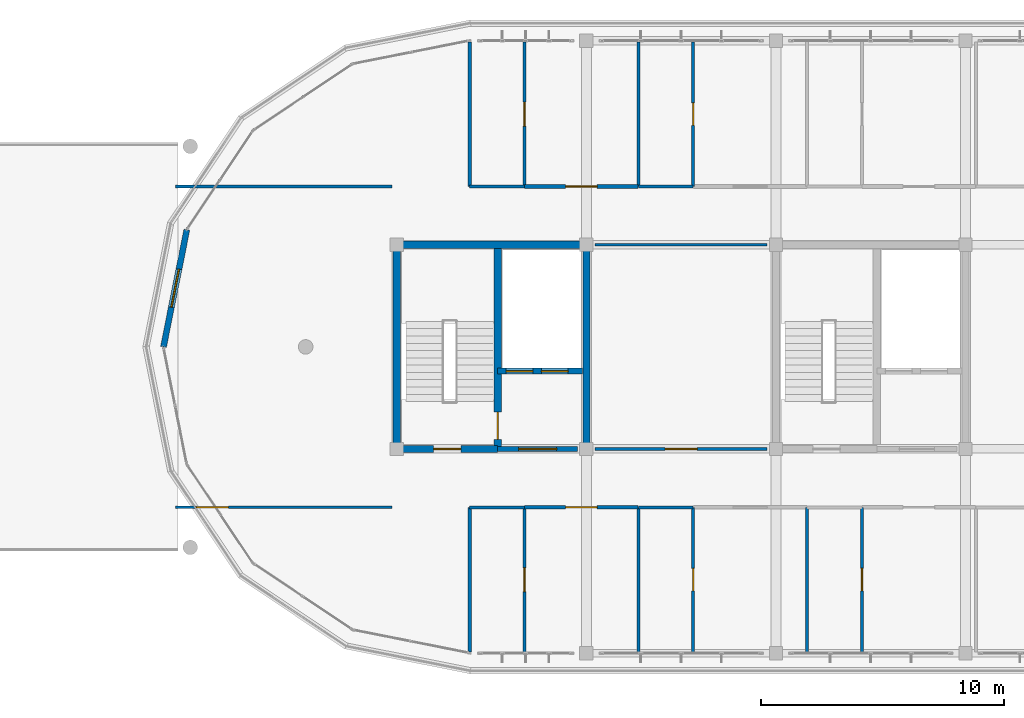
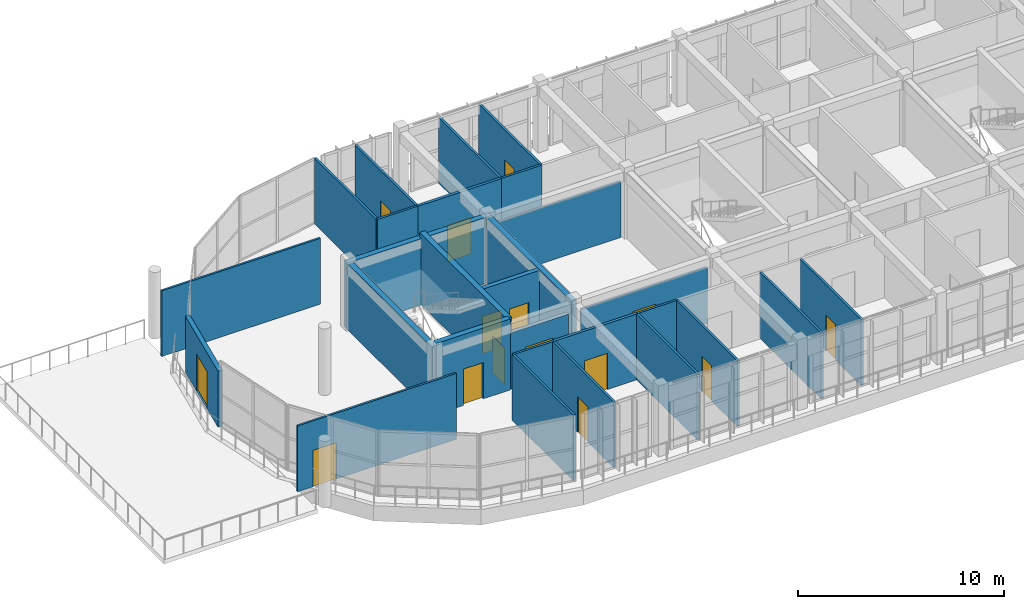
# One storey, part 38 of 44: 28 walls, 15 doors, 15 openings.
"""IFC4 building model written with IfcOpenShell, lengths in metres."""

from ifc_helpers import new_model, si_unit, direction, frame, frame_2d, origin, place, context, subcontext, project, spatial, rectangle, extrude, material, layer, layer_set, type_object, element, fill, save


model = new_model("IFC4")

# Units and contexts
model_context = context("Model", 3, precision=1e-05, world=origin(), true_north=direction((0.0, 1.0)))
body_context = subcontext(model_context, "Body", "Model", "MODEL_VIEW")
ifc_project = project(units=[si_unit("LENGTHUNIT", "METRE"), si_unit("AREAUNIT", "SQUARE_METRE"), si_unit("VOLUMEUNIT", "CUBIC_METRE"), si_unit("PLANEANGLEUNIT", "RADIAN"), si_unit("MASSUNIT", "GRAM", prefix="KILO")], contexts=[model_context])

# Site, building, storey
site_placement = place(None, origin())
site = spatial("IfcSite", under=ifc_project, at=site_placement, CompositionType="ELEMENT")
building_placement = place(site_placement, origin())
building = spatial("IfcBuilding", under=site, at=building_placement, Name="Zizhar Promenade General Hospital", CompositionType="ELEMENT")
storey_placement = place(building_placement, frame((0.0, 0.0, 34.800048828125)))
storey = spatial("IfcBuildingStorey", under=building, at=storey_placement, Name="L08", CompositionType="ELEMENT", Elevation=34.800048828125)

# Wall, opening, door
ifc_material_1 = material(Name="Precast concrete C40/50", Category="concrete")
ifc_layer_1 = layer(ifc_material_1, 0.2451171875)
ifc_layer_set_1 = layer_set([ifc_layer_1], Name="Precast concrete C40/50")
wall_type_1 = type_object("IfcWallType", Name="EW-PC-245", PredefinedType="STANDARD", material=ifc_layer_set_1)
wall_1_placement = place(storey_placement, frame((37.199951171875, 12.60009765625, 0.0), z_axis=(0.0, 0.0, 1.0), x_axis=(0.195113286981, 0.980780712108, 0.0)))
wall_1 = element("IfcWall", 1, at=wall_1_placement, inside=storey, type_object=wall_type_1, Name="Ward West Terrace Portal Wall L08", PredefinedType="STANDARD", context=body_context, shape_type="SweptSolid", body=[
    extrude(rectangle(XDim=4.916259765625, YDim=0.2451171875, at=frame_2d((2.4580078125, 0.0))), origin(), (0.0, 0.0, 1.0), 3.320068359375),
])
opening_1_placement = place(wall_1_placement, frame((1.658203125, 0.0, 0.0)))
opening_1 = element("IfcOpeningElement", 2, at=opening_1_placement, cuts=wall_1, Name="Opening ED-05", PredefinedType="OPENING", context=body_context, shape_type="SweptSolid", body=[
    extrude(rectangle(XDim=1.60009765625, YDim=2.199951171875, at=frame_2d((0.800048828125, 1.10009765625))), frame((0.0, 0.132568359375, 0.0), z_axis=(0.0, -1.0, 0.0), x_axis=(1.0, 0.0, 0.0)), (0.0, 0.0, 1.0), 0.26513671875),
])
ifc_material_2 = material(Name="Anodised aluminium 6063-T6 and laminated safety glass", Category="aluminium")
door_type_1 = type_object("IfcDoorType", Name="DR-EXT-TERR-160x220", OperationType="DOUBLE_DOOR_SINGLE_SWING", PredefinedType="DOOR", material=ifc_material_2)
door_1_placement = place(opening_1_placement, origin())
door_1 = element("IfcDoor", 3, at=door_1_placement, inside=storey, type_object=door_type_1, Name="Level L08 West Recovery Terrace Door", OperationType="DOUBLE_DOOR_SINGLE_SWING", OverallHeight=2.199951171875, OverallWidth=1.60009765625, PredefinedType="DOOR", context=body_context, shape_type="SweptSolid", body=[
    extrude(rectangle(XDim=1.60009765625, YDim=2.199951171875, at=frame_2d((0.800048828125, 1.10009765625))), frame((0.0, 0.02490234375, 0.0), z_axis=(0.0, -1.0, 0.0), x_axis=(1.0, 0.0, 0.0)), (0.0, 0.0, 1.0), 0.050048828125),
])
fill(opening_1, door_1)

ifc_material_3 = material(Name="Concrete C35/45", Category="concrete")
ifc_layer_2 = layer(ifc_material_3, 0.215087890625)
ifc_layer_set_2 = layer_set([ifc_layer_2], Name="Concrete C35/45")
wall_type_2 = type_object("IfcWallType", Name="IW-LOBBY-215", PredefinedType="STANDARD", material=ifc_layer_set_2)
wall_2_placement = place(storey_placement, frame((50.949951171875, 8.39990234375, 0.0), z_axis=(0.0, 0.0, 1.0), x_axis=(1.0, 0.0, 0.0)))
wall_2 = element("IfcWall", 4, at=wall_2_placement, inside=storey, type_object=wall_type_2, Name="Core C2 Lift Lobby South Fire Wall (L08)", PredefinedType="STANDARD", context=body_context, shape_type="SweptSolid", body=[
    extrude(rectangle(XDim=3.2900390625, YDim=0.215087890625, at=frame_2d((1.64501953125, 0.0))), origin(), (0.0, 0.0, 1.0), 3.320068359375),
])
opening_2_placement = place(wall_2_placement, frame((0.864990234375, 0.0, 0.0)))
opening_2 = element("IfcOpeningElement", 5, at=opening_2_placement, cuts=wall_2, Name="Opening D-22", PredefinedType="OPENING", context=body_context, shape_type="SweptSolid", body=[
    extrude(rectangle(XDim=1.56005859375, YDim=2.199951171875, at=frame_2d((0.780029296875, 1.10009765625))), frame((0.0, 0.11767578125, 0.0), z_axis=(0.0, -1.0, 0.0), x_axis=(1.0, 0.0, 0.0)), (0.0, 0.0, 1.0), 0.235107421875),
])
ifc_material_4 = material(Name="Steel S355 firefighting lobby pair", Category="steel")
door_type_2 = type_object("IfcDoorType", Name="DR-LOBBY-FF-156x220", OperationType="DOUBLE_DOOR_SINGLE_SWING", PredefinedType="DOOR", material=ifc_material_4)
door_2_placement = place(opening_2_placement, origin())
door_2 = element("IfcDoor", 6, at=door_2_placement, inside=storey, type_object=door_type_2, Name="Core C2 Firefighting Lift Lobby Door (L08)", OperationType="DOUBLE_DOOR_SINGLE_SWING", OverallHeight=2.199951171875, OverallWidth=1.56005859375, PredefinedType="DOOR", context=body_context, shape_type="SweptSolid", body=[
    extrude(rectangle(XDim=1.56005859375, YDim=2.199951171875, at=frame_2d((0.780029296875, 1.10009765625))), frame((0.0, 0.02490234375, 0.0), z_axis=(0.0, -1.0, 0.0), x_axis=(1.0, 0.0, 0.0)), (0.0, 0.0, 1.0), 0.050048828125),
])
fill(opening_2, door_2)

# Wall, openings, doors
ifc_material_5 = material(Name="Concrete C35/45", Category="concrete")
ifc_layer_3 = layer(ifc_material_5, 0.25)
ifc_layer_set_3 = layer_set([ifc_layer_3], Name="Concrete C35/45")
wall_type_3 = type_object("IfcWallType", Name="IW-SHAFT-250", PredefinedType="STANDARD", material=ifc_layer_set_3)
wall_3_placement = place(storey_placement, frame((50.949951171875, 11.60009765625, 0.0), z_axis=(0.0, 0.0, 1.0), x_axis=(1.0, 0.0, 0.0)))
wall_3 = element("IfcWall", 7, at=wall_3_placement, inside=storey, type_object=wall_type_3, Name="Core C2 Lift Shaft Landing Wall (L08)", PredefinedType="STANDARD", context=body_context, shape_type="SweptSolid", body=[
    extrude(rectangle(XDim=3.5, YDim=0.25, at=frame_2d((1.75, 0.0))), origin(), (0.0, 0.0, 1.0), 3.89990234375),
])
opening_3_placement = place(wall_3_placement, frame((0.35009765625, 0.0, 0.0)))
opening_3 = element("IfcOpeningElement", 8, at=opening_3_placement, cuts=wall_3, Name="Opening LD-11", PredefinedType="OPENING", context=body_context, shape_type="SweptSolid", body=[
    extrude(rectangle(XDim=1.10009765625, YDim=2.199951171875, at=frame_2d((0.550048828125, 1.10009765625))), frame((0.0, 0.135009765625, 0.0), z_axis=(0.0, -1.0, 0.0), x_axis=(1.0, 0.0, 0.0)), (0.0, 0.0, 1.0), 0.27001953125),
])
opening_4_placement = place(wall_3_placement, frame((1.800048828125, 0.0, 0.0)))
opening_4 = element("IfcOpeningElement", 9, at=opening_4_placement, cuts=wall_3, Name="Opening LD-11", PredefinedType="OPENING", context=body_context, shape_type="SweptSolid", body=[
    extrude(rectangle(XDim=1.10009765625, YDim=2.199951171875, at=frame_2d((0.550048828125, 1.10009765625))), frame((0.0, 0.135009765625, 0.0), z_axis=(0.0, -1.0, 0.0), x_axis=(1.0, 0.0, 0.0)), (0.0, 0.0, 1.0), 0.27001953125),
])
ifc_material_6 = material(Name="Stainless Steel S355 passenger lift landing door", Category="steel")
door_type_3 = type_object("IfcDoorType", Name="DR-LIFT-LD11", OperationType="SLIDING_TO_LEFT", PredefinedType="DOOR", material=ifc_material_6)
door_3_placement = place(opening_3_placement, origin())
door_3 = element("IfcDoor", 10, at=door_3_placement, inside=storey, type_object=door_type_3, Name="Lift LF-01 Sliding Landing Door (L08)", OperationType="SLIDING_TO_LEFT", OverallHeight=2.199951171875, OverallWidth=1.10009765625, PredefinedType="DOOR", context=body_context, shape_type="SweptSolid", body=[
    extrude(rectangle(XDim=1.10009765625, YDim=2.199951171875, at=frame_2d((0.550048828125, 1.10009765625))), frame((0.0, 0.02490234375, 0.0), z_axis=(0.0, -1.0, 0.0), x_axis=(1.0, 0.0, 0.0)), (0.0, 0.0, 1.0), 0.050048828125),
])
fill(opening_3, door_3)
door_4_placement = place(opening_4_placement, origin())
door_4 = element("IfcDoor", 11, at=door_4_placement, inside=storey, type_object=door_type_3, Name="Lift LB-01 Sliding Landing Door (L08)", OperationType="SLIDING_TO_LEFT", OverallHeight=2.199951171875, OverallWidth=1.10009765625, PredefinedType="DOOR", context=body_context, shape_type="SweptSolid", body=[
    extrude(rectangle(XDim=1.10009765625, YDim=2.199951171875, at=frame_2d((0.550048828125, 1.10009765625))), frame((0.0, 0.02490234375, 0.0), z_axis=(0.0, -1.0, 0.0), x_axis=(1.0, 0.0, 0.0)), (0.0, 0.0, 1.0), 0.050048828125),
])
fill(opening_4, door_4)

# Wall, opening, door
ifc_material_7 = material(Name="Clean utility gypsum partition")
ifc_layer_4 = layer(ifc_material_7, 0.114990234375)
ifc_layer_set_4 = layer_set([ifc_layer_4], Name="Clean utility gypsum partition")
wall_type_4 = type_object("IfcWallType", Name="IW-STR-115", PredefinedType="PARTITIONING", material=ifc_layer_set_4)
wall_4_placement = place(storey_placement, frame((37.699951171875, 6.0, 0.0), z_axis=(0.0, 0.0, 1.0), x_axis=(1.0, 0.0, 0.0)))
wall_4 = element("IfcWall", 12, at=wall_4_placement, inside=storey, type_object=wall_type_4, Name="West Patient Recovery Solarium L08 S Partition", PredefinedType="PARTITIONING", context=body_context, shape_type="SweptSolid", body=[
    extrude(rectangle(XDim=8.900146484375, YDim=0.114990234375, at=frame_2d((4.4501953125, 0.0))), origin(), (0.0, 0.0, 1.0), 3.89990234375),
])
opening_5_placement = place(wall_4_placement, frame((0.85009765625, 0.0, 0.0)))
opening_5 = element("IfcOpeningElement", 13, at=opening_5_placement, cuts=wall_4, Name="Opening D-26", PredefinedType="OPENING", context=body_context, shape_type="SweptSolid", body=[
    extrude(rectangle(XDim=1.320068359375, YDim=2.14990234375, at=frame_2d((0.66015625, 1.074951171875))), frame((0.0, 0.0673828125, 0.0), z_axis=(0.0, -1.0, 0.0), x_axis=(1.0, 0.0, 0.0)), (0.0, 0.0, 1.0), 0.135009765625),
])
ifc_material_8 = material(Name="Fire-rated timber store leaf", Category="wood")
door_type_4 = type_object("IfcDoorType", Name="DR-STORE-132x215", OperationType="NOTDEFINED", PredefinedType="DOOR", material=ifc_material_8)
door_5_placement = place(opening_5_placement, origin())
door_5 = element("IfcDoor", 14, at=door_5_placement, inside=storey, type_object=door_type_4, Name="West Patient Recovery Solarium L08 Door", OperationType="SINGLE_SWING_RIGHT", OverallHeight=2.14990234375, OverallWidth=1.320068359375, PredefinedType="DOOR", context=body_context, shape_type="SweptSolid", body=[
    extrude(rectangle(XDim=1.320068359375, YDim=2.14990234375, at=frame_2d((0.66015625, 1.074951171875))), frame((0.0, 0.02490234375, 0.0), z_axis=(0.0, -1.0, 0.0), x_axis=(1.0, 0.0, 0.0)), (0.0, 0.0, 1.0), 0.050048828125),
])
fill(opening_5, door_5)

# Wall
wall_5_placement = place(storey_placement, frame((37.699951171875, 19.199951171875, 0.0), z_axis=(0.0, 0.0, 1.0), x_axis=(1.0, 0.0, 0.0)))
element("IfcWall", 15, at=wall_5_placement, inside=storey, type_object=wall_type_4, Name="West Patient Recovery Solarium L08 N Partition", PredefinedType="PARTITIONING", context=body_context, shape_type="SweptSolid", body=[
    extrude(rectangle(XDim=8.900146484375, YDim=0.114990234375, at=frame_2d((4.4501953125, 0.0))), origin(), (0.0, 0.0, 1.0), 3.89990234375),
])

# Wall, opening, door
wall_6_placement = place(storey_placement, frame((54.9599609375, 8.39990234375, 0.0), z_axis=(0.0, 0.0, 1.0), x_axis=(1.0, 0.0, 0.0)))
wall_6 = element("IfcWall", 16, at=wall_6_placement, inside=storey, type_object=wall_type_4, Name="Nurse Station and Medication Room L08 S Partition", PredefinedType="PARTITIONING", context=body_context, shape_type="SweptSolid", body=[
    extrude(rectangle(XDim=7.080078125, YDim=0.114990234375, at=frame_2d((3.5400390625, 0.0))), origin(), (0.0, 0.0, 1.0), 3.320068359375),
])
opening_6_placement = place(wall_6_placement, frame((2.8798828125, 0.0, 0.0)))
opening_6 = element("IfcOpeningElement", 17, at=opening_6_placement, cuts=wall_6, Name="Opening D-26", PredefinedType="OPENING", context=body_context, shape_type="SweptSolid", body=[
    extrude(rectangle(XDim=1.320068359375, YDim=2.14990234375, at=frame_2d((0.66015625, 1.074951171875))), frame((0.0, 0.0673828125, 0.0), z_axis=(0.0, -1.0, 0.0), x_axis=(1.0, 0.0, 0.0)), (0.0, 0.0, 1.0), 0.135009765625),
])
door_6_placement = place(opening_6_placement, origin())
door_6 = element("IfcDoor", 18, at=door_6_placement, inside=storey, type_object=door_type_4, Name="Nurse Station and Medication Room L08 Door", OperationType="SINGLE_SWING_RIGHT", OverallHeight=2.14990234375, OverallWidth=1.320068359375, PredefinedType="DOOR", context=body_context, shape_type="SweptSolid", body=[
    extrude(rectangle(XDim=1.320068359375, YDim=2.14990234375, at=frame_2d((0.66015625, 1.074951171875))), frame((0.0, 0.02490234375, 0.0), z_axis=(0.0, -1.0, 0.0), x_axis=(1.0, 0.0, 0.0)), (0.0, 0.0, 1.0), 0.050048828125),
])
fill(opening_6, door_6)

# Wall
wall_7_placement = place(storey_placement, frame((54.9599609375, 16.800048828125, 0.0), z_axis=(0.0, 0.0, 1.0), x_axis=(1.0, 0.0, 0.0)))
element("IfcWall", 19, at=wall_7_placement, inside=storey, type_object=wall_type_4, Name="Nurse Station and Medication Room L08 N Partition", PredefinedType="PARTITIONING", context=body_context, shape_type="SweptSolid", body=[
    extrude(rectangle(XDim=7.080078125, YDim=0.114990234375, at=frame_2d((3.5400390625, 0.0))), origin(), (0.0, 0.0, 1.0), 3.320068359375),
])

# Wall, opening, door
ifc_material_9 = material(Name="Acoustic patient bedroom partition")
ifc_layer_5 = layer(ifc_material_9, 0.155029296875)
ifc_layer_set_5 = layer_set([ifc_layer_5], Name="Acoustic patient bedroom partition")
wall_type_5 = type_object("IfcWallType", Name="IW-WARD-155", PredefinedType="PARTITIONING", material=ifc_layer_set_5)
wall_8_placement = place(storey_placement, frame((52.06005859375, 6.0, 0.0), z_axis=(0.0, 0.0, 1.0), x_axis=(1.0, 0.0, 0.0)))
wall_8 = element("IfcWall", 20, at=wall_8_placement, inside=storey, type_object=wall_type_5, Name="Paediatric Inpatient Ward L08-S01 N Partition", PredefinedType="PARTITIONING", context=body_context, shape_type="SweptSolid", body=[
    extrude(rectangle(XDim=4.6728515625, YDim=0.155029296875, at=frame_2d((2.33642578125, 0.0))), origin(), (0.0, 0.0, 1.0), 3.89990234375),
])
opening_7_placement = place(wall_8_placement, frame((1.6865234375, 0.0, 0.0)))
opening_7 = element("IfcOpeningElement", 21, at=opening_7_placement, cuts=wall_8, Name="Opening D-09", PredefinedType="OPENING", context=body_context, shape_type="SweptSolid", body=[
    extrude(rectangle(XDim=1.300048828125, YDim=2.14990234375, at=frame_2d((0.64990234375, 1.074951171875))), frame((0.0, 0.08740234375, 0.0), z_axis=(0.0, -1.0, 0.0), x_axis=(1.0, 0.0, 0.0)), (0.0, 0.0, 1.0), 0.175048828125),
])
ifc_material_10 = material(Name="Fire-rated timber paediatric bed leaf", Category="wood")
door_type_5 = type_object("IfcDoorType", Name="DR-BED-PAED-130x215", OperationType="NOTDEFINED", PredefinedType="DOOR", material=ifc_material_10)
door_7_placement = place(opening_7_placement, origin())
door_7 = element("IfcDoor", 22, at=door_7_placement, inside=storey, type_object=door_type_5, Name="Paediatric Inpatient Ward L08-S01 Door", OperationType="SINGLE_SWING_RIGHT", OverallHeight=2.14990234375, OverallWidth=1.300048828125, PredefinedType="DOOR", context=body_context, shape_type="SweptSolid", body=[
    extrude(rectangle(XDim=1.300048828125, YDim=2.14990234375, at=frame_2d((0.64990234375, 1.074951171875))), frame((0.0, 0.02490234375, 0.0), z_axis=(0.0, -1.0, 0.0), x_axis=(1.0, 0.0, 0.0)), (0.0, 0.0, 1.0), 0.050048828125),
])
fill(opening_7, door_7)

wall_9_placement = place(storey_placement, frame((52.06005859375, 19.199951171875, 0.0), z_axis=(0.0, 0.0, 1.0), x_axis=(1.0, 0.0, 0.0)))
wall_9 = element("IfcWall", 23, at=wall_9_placement, inside=storey, type_object=wall_type_5, Name="Paediatric Inpatient Ward L08-N01 S Partition", PredefinedType="PARTITIONING", context=body_context, shape_type="SweptSolid", body=[
    extrude(rectangle(XDim=4.6728515625, YDim=0.155029296875, at=frame_2d((2.33642578125, 0.0))), origin(), (0.0, 0.0, 1.0), 3.89990234375),
])
opening_8_placement = place(wall_9_placement, frame((1.6865234375, 0.0, 0.0)))
opening_8 = element("IfcOpeningElement", 24, at=opening_8_placement, cuts=wall_9, Name="Opening D-09", PredefinedType="OPENING", context=body_context, shape_type="SweptSolid", body=[
    extrude(rectangle(XDim=1.300048828125, YDim=2.14990234375, at=frame_2d((0.64990234375, 1.074951171875))), frame((0.0, 0.08740234375, 0.0), z_axis=(0.0, -1.0, 0.0), x_axis=(1.0, 0.0, 0.0)), (0.0, 0.0, 1.0), 0.175048828125),
])
door_8_placement = place(opening_8_placement, origin())
door_8 = element("IfcDoor", 25, at=door_8_placement, inside=storey, type_object=door_type_5, Name="Paediatric Inpatient Ward L08-N01 Door", OperationType="SINGLE_SWING_LEFT", OverallHeight=2.14990234375, OverallWidth=1.300048828125, PredefinedType="DOOR", context=body_context, shape_type="SweptSolid", body=[
    extrude(rectangle(XDim=1.300048828125, YDim=2.14990234375, at=frame_2d((0.64990234375, 1.074951171875))), frame((0.0, 0.02490234375, 0.0), z_axis=(0.0, -1.0, 0.0), x_axis=(1.0, 0.0, 0.0)), (0.0, 0.0, 1.0), 0.050048828125),
])
fill(opening_8, door_8)

# Walls
ifc_material_11 = material(Name="Moisture-resistant en-suite wet partition")
ifc_layer_6 = layer(ifc_material_11, 0.125)
ifc_layer_set_6 = layer_set([ifc_layer_6], Name="Moisture-resistant en-suite wet partition")
wall_type_6 = type_object("IfcWallType", Name="IW-WET-125", PredefinedType="PARTITIONING", material=ifc_layer_set_6)
wall_10_placement = place(storey_placement, frame((49.800048828125, 6.0, 0.0), z_axis=(0.0, 0.0, 1.0), x_axis=(1.0, 0.0, 0.0)))
element("IfcWall", 26, at=wall_10_placement, inside=storey, type_object=wall_type_6, Name="En-Suite Patient Bathroom L08-S01 N Partition", PredefinedType="PARTITIONING", context=body_context, shape_type="SweptSolid", body=[
    extrude(rectangle(XDim=2.25, YDim=0.125, at=frame_2d((1.125, 0.0))), origin(), (0.0, 0.0, 1.0), 3.89990234375),
])
wall_11_placement = place(storey_placement, frame((49.800048828125, 0.044921875, 0.0), z_axis=(0.0, 0.0, 1.0), x_axis=(0.0, 1.0, 0.0)))
element("IfcWall", 27, at=wall_11_placement, inside=storey, type_object=wall_type_6, Name="En-Suite Patient Bathroom L08-S01 W Partition", PredefinedType="PARTITIONING", context=body_context, shape_type="SweptSolid", body=[
    extrude(rectangle(XDim=5.955078125, YDim=0.125, at=frame_2d((2.9775390625, 0.0))), origin(), (0.0, 0.0, 1.0), 3.89990234375),
])

# Wall, opening, door
wall_12_placement = place(storey_placement, frame((52.050048828125, 0.044921875, 0.0), z_axis=(0.0, 0.0, 1.0), x_axis=(0.0, 1.0, 0.0)))
wall_12 = element("IfcWall", 28, at=wall_12_placement, inside=storey, type_object=wall_type_6, Name="En-Suite Patient Bathroom L08-S01 E Partition", PredefinedType="PARTITIONING", context=body_context, shape_type="SweptSolid", body=[
    extrude(rectangle(XDim=5.955078125, YDim=0.125, at=frame_2d((2.9775390625, 0.0))), origin(), (0.0, 0.0, 1.0), 3.89990234375),
])
opening_9_placement = place(wall_12_placement, frame((2.487548828125, 0.0, 0.0)))
opening_9 = element("IfcOpeningElement", 29, at=opening_9_placement, cuts=wall_12, Name="Opening D-17", PredefinedType="OPENING", context=body_context, shape_type="SweptSolid", body=[
    extrude(rectangle(XDim=0.97998046875, YDim=2.10009765625, at=frame_2d((0.489990234375, 1.050048828125))), frame((0.0, 0.072509765625, 0.0), z_axis=(0.0, -1.0, 0.0), x_axis=(1.0, 0.0, 0.0)), (0.0, 0.0, 1.0), 0.14501953125),
])
ifc_material_12 = material(Name="Moisture-resistant timber PMR leaf", Category="wood")
door_type_6 = type_object("IfcDoorType", Name="DR-ENS-PMR-098x210", OperationType="NOTDEFINED", PredefinedType="DOOR", material=ifc_material_12)
door_9_placement = place(opening_9_placement, origin())
door_9 = element("IfcDoor", 30, at=door_9_placement, inside=storey, type_object=door_type_6, Name="En-Suite Patient Bathroom L08-S01 Door", OperationType="SINGLE_SWING_RIGHT", OverallHeight=2.10009765625, OverallWidth=0.97998046875, PredefinedType="DOOR", context=body_context, shape_type="SweptSolid", body=[
    extrude(rectangle(XDim=0.97998046875, YDim=2.10009765625, at=frame_2d((0.489990234375, 1.050048828125))), frame((0.0, 0.02490234375, 0.0), z_axis=(0.0, -1.0, 0.0), x_axis=(1.0, 0.0, 0.0)), (0.0, 0.0, 1.0), 0.050048828125),
])
fill(opening_9, door_9)

# Walls
wall_13_placement = place(storey_placement, frame((49.800048828125, 19.199951171875, 0.0), z_axis=(0.0, 0.0, 1.0), x_axis=(1.0, 0.0, 0.0)))
element("IfcWall", 31, at=wall_13_placement, inside=storey, type_object=wall_type_6, Name="En-Suite Patient Bathroom L08-N01 S Partition", PredefinedType="PARTITIONING", context=body_context, shape_type="SweptSolid", body=[
    extrude(rectangle(XDim=2.25, YDim=0.125, at=frame_2d((1.125, 0.0))), origin(), (0.0, 0.0, 1.0), 3.89990234375),
])
wall_14_placement = place(storey_placement, frame((49.800048828125, 19.199951171875, 0.0), z_axis=(0.0, 0.0, 1.0), x_axis=(0.0, 1.0, 0.0)))
element("IfcWall", 32, at=wall_14_placement, inside=storey, type_object=wall_type_6, Name="En-Suite Patient Bathroom L08-N01 W Partition", PredefinedType="PARTITIONING", context=body_context, shape_type="SweptSolid", body=[
    extrude(rectangle(XDim=5.955078125, YDim=0.125, at=frame_2d((2.9775390625, 0.0))), origin(), (0.0, 0.0, 1.0), 3.89990234375),
])

# Wall, opening, door
wall_15_placement = place(storey_placement, frame((52.050048828125, 19.199951171875, 0.0), z_axis=(0.0, 0.0, 1.0), x_axis=(0.0, 1.0, 0.0)))
wall_15 = element("IfcWall", 33, at=wall_15_placement, inside=storey, type_object=wall_type_6, Name="En-Suite Patient Bathroom L08-N01 E Partition", PredefinedType="PARTITIONING", context=body_context, shape_type="SweptSolid", body=[
    extrude(rectangle(XDim=5.955078125, YDim=0.125, at=frame_2d((2.9775390625, 0.0))), origin(), (0.0, 0.0, 1.0), 3.89990234375),
])
opening_10_placement = place(wall_15_placement, frame((2.487548828125, 0.0, 0.0)))
opening_10 = element("IfcOpeningElement", 34, at=opening_10_placement, cuts=wall_15, Name="Opening D-17", PredefinedType="OPENING", context=body_context, shape_type="SweptSolid", body=[
    extrude(rectangle(XDim=0.97998046875, YDim=2.10009765625, at=frame_2d((0.489990234375, 1.050048828125))), frame((0.0, 0.072509765625, 0.0), z_axis=(0.0, -1.0, 0.0), x_axis=(1.0, 0.0, 0.0)), (0.0, 0.0, 1.0), 0.14501953125),
])
door_10_placement = place(opening_10_placement, origin())
door_10 = element("IfcDoor", 35, at=door_10_placement, inside=storey, type_object=door_type_6, Name="En-Suite Patient Bathroom L08-N01 Door", OperationType="SINGLE_SWING_LEFT", OverallHeight=2.10009765625, OverallWidth=0.97998046875, PredefinedType="DOOR", context=body_context, shape_type="SweptSolid", body=[
    extrude(rectangle(XDim=0.97998046875, YDim=2.10009765625, at=frame_2d((0.489990234375, 1.050048828125))), frame((0.0, 0.02490234375, 0.0), z_axis=(0.0, -1.0, 0.0), x_axis=(1.0, 0.0, 0.0)), (0.0, 0.0, 1.0), 0.050048828125),
])
fill(opening_10, door_10)

# Walls
wall_16_placement = place(storey_placement, frame((56.742919921875, 6.0, 0.0), z_axis=(0.0, 0.0, 1.0), x_axis=(1.0, 0.0, 0.0)))
element("IfcWall", 36, at=wall_16_placement, inside=storey, type_object=wall_type_6, Name="En-Suite Patient Bathroom L08-S02 N Partition", PredefinedType="PARTITIONING", context=body_context, shape_type="SweptSolid", body=[
    extrude(rectangle(XDim=2.25, YDim=0.125, at=frame_2d((1.125, 0.0))), origin(), (0.0, 0.0, 1.0), 3.89990234375),
])
wall_17_placement = place(storey_placement, frame((56.742919921875, 0.044921875, 0.0), z_axis=(0.0, 0.0, 1.0), x_axis=(0.0, 1.0, 0.0)))
element("IfcWall", 37, at=wall_17_placement, inside=storey, type_object=wall_type_6, Name="En-Suite Patient Bathroom L08-S02 W Partition", PredefinedType="PARTITIONING", context=body_context, shape_type="SweptSolid", body=[
    extrude(rectangle(XDim=5.955078125, YDim=0.125, at=frame_2d((2.9775390625, 0.0))), origin(), (0.0, 0.0, 1.0), 3.89990234375),
])

# Wall, opening, door
wall_18_placement = place(storey_placement, frame((58.992919921875, 0.044921875, 0.0), z_axis=(0.0, 0.0, 1.0), x_axis=(0.0, 1.0, 0.0)))
wall_18 = element("IfcWall", 38, at=wall_18_placement, inside=storey, type_object=wall_type_6, Name="En-Suite Patient Bathroom L08-S02 E Partition", PredefinedType="PARTITIONING", context=body_context, shape_type="SweptSolid", body=[
    extrude(rectangle(XDim=5.955078125, YDim=0.125, at=frame_2d((2.9775390625, 0.0))), origin(), (0.0, 0.0, 1.0), 3.89990234375),
])
opening_11_placement = place(wall_18_placement, frame((2.517578125, 0.0, 0.0)))
opening_11 = element("IfcOpeningElement", 39, at=opening_11_placement, cuts=wall_18, Name="Opening D-18", PredefinedType="OPENING", context=body_context, shape_type="SweptSolid", body=[
    extrude(rectangle(XDim=0.919921875, YDim=2.10009765625, at=frame_2d((0.4599609375, 1.050048828125))), frame((0.0, 0.072509765625, 0.0), z_axis=(0.0, -1.0, 0.0), x_axis=(1.0, 0.0, 0.0)), (0.0, 0.0, 1.0), 0.14501953125),
])
ifc_material_13 = material(Name="Moisture-resistant timber en-suite leaf", Category="wood")
door_type_7 = type_object("IfcDoorType", Name="DR-ENS-STD-092x210", OperationType="NOTDEFINED", PredefinedType="DOOR", material=ifc_material_13)
door_11_placement = place(opening_11_placement, origin())
door_11 = element("IfcDoor", 40, at=door_11_placement, inside=storey, type_object=door_type_7, Name="En-Suite Patient Bathroom L08-S02 Door", OperationType="SINGLE_SWING_RIGHT", OverallHeight=2.10009765625, OverallWidth=0.919921875, PredefinedType="DOOR", context=body_context, shape_type="SweptSolid", body=[
    extrude(rectangle(XDim=0.919921875, YDim=2.10009765625, at=frame_2d((0.4599609375, 1.050048828125))), frame((0.0, 0.02490234375, 0.0), z_axis=(0.0, -1.0, 0.0), x_axis=(1.0, 0.0, 0.0)), (0.0, 0.0, 1.0), 0.050048828125),
])
fill(opening_11, door_11)

# Walls
wall_19_placement = place(storey_placement, frame((56.742919921875, 19.199951171875, 0.0), z_axis=(0.0, 0.0, 1.0), x_axis=(1.0, 0.0, 0.0)))
element("IfcWall", 41, at=wall_19_placement, inside=storey, type_object=wall_type_6, Name="En-Suite Patient Bathroom L08-N02 S Partition", PredefinedType="PARTITIONING", context=body_context, shape_type="SweptSolid", body=[
    extrude(rectangle(XDim=2.25, YDim=0.125, at=frame_2d((1.125, 0.0))), origin(), (0.0, 0.0, 1.0), 3.89990234375),
])
wall_20_placement = place(storey_placement, frame((56.742919921875, 19.199951171875, 0.0), z_axis=(0.0, 0.0, 1.0), x_axis=(0.0, 1.0, 0.0)))
element("IfcWall", 42, at=wall_20_placement, inside=storey, type_object=wall_type_6, Name="En-Suite Patient Bathroom L08-N02 W Partition", PredefinedType="PARTITIONING", context=body_context, shape_type="SweptSolid", body=[
    extrude(rectangle(XDim=5.955078125, YDim=0.125, at=frame_2d((2.9775390625, 0.0))), origin(), (0.0, 0.0, 1.0), 3.89990234375),
])

# Wall, opening, door
wall_21_placement = place(storey_placement, frame((58.992919921875, 19.199951171875, 0.0), z_axis=(0.0, 0.0, 1.0), x_axis=(0.0, 1.0, 0.0)))
wall_21 = element("IfcWall", 43, at=wall_21_placement, inside=storey, type_object=wall_type_6, Name="En-Suite Patient Bathroom L08-N02 E Partition", PredefinedType="PARTITIONING", context=body_context, shape_type="SweptSolid", body=[
    extrude(rectangle(XDim=5.955078125, YDim=0.125, at=frame_2d((2.9775390625, 0.0))), origin(), (0.0, 0.0, 1.0), 3.89990234375),
])
opening_12_placement = place(wall_21_placement, frame((2.517578125, 0.0, 0.0)))
opening_12 = element("IfcOpeningElement", 44, at=opening_12_placement, cuts=wall_21, Name="Opening D-18", PredefinedType="OPENING", context=body_context, shape_type="SweptSolid", body=[
    extrude(rectangle(XDim=0.919921875, YDim=2.10009765625, at=frame_2d((0.4599609375, 1.050048828125))), frame((0.0, 0.072509765625, 0.0), z_axis=(0.0, -1.0, 0.0), x_axis=(1.0, 0.0, 0.0)), (0.0, 0.0, 1.0), 0.14501953125),
])
door_12_placement = place(opening_12_placement, origin())
door_12 = element("IfcDoor", 45, at=door_12_placement, inside=storey, type_object=door_type_7, Name="En-Suite Patient Bathroom L08-N02 Door", OperationType="SINGLE_SWING_LEFT", OverallHeight=2.10009765625, OverallWidth=0.919921875, PredefinedType="DOOR", context=body_context, shape_type="SweptSolid", body=[
    extrude(rectangle(XDim=0.919921875, YDim=2.10009765625, at=frame_2d((0.4599609375, 1.050048828125))), frame((0.0, 0.02490234375, 0.0), z_axis=(0.0, -1.0, 0.0), x_axis=(1.0, 0.0, 0.0)), (0.0, 0.0, 1.0), 0.050048828125),
])
fill(opening_12, door_12)

# Wall
wall_22_placement = place(storey_placement, frame((63.685791015625, 0.044921875, 0.0), z_axis=(0.0, 0.0, 1.0), x_axis=(0.0, 1.0, 0.0)))
element("IfcWall", 46, at=wall_22_placement, inside=storey, type_object=wall_type_6, Name="En-Suite Patient Bathroom L08-S03 W Partition", PredefinedType="PARTITIONING", context=body_context, shape_type="SweptSolid", body=[
    extrude(rectangle(XDim=5.955078125, YDim=0.125, at=frame_2d((2.9775390625, 0.0))), origin(), (0.0, 0.0, 1.0), 3.89990234375),
])

# Wall, opening, door
wall_23_placement = place(storey_placement, frame((65.935791015625, 0.044921875, 0.0), z_axis=(0.0, 0.0, 1.0), x_axis=(0.0, 1.0, 0.0)))
wall_23 = element("IfcWall", 47, at=wall_23_placement, inside=storey, type_object=wall_type_6, Name="En-Suite Patient Bathroom L08-S03 E Partition", PredefinedType="PARTITIONING", context=body_context, shape_type="SweptSolid", body=[
    extrude(rectangle(XDim=5.955078125, YDim=0.125, at=frame_2d((2.9775390625, 0.0))), origin(), (0.0, 0.0, 1.0), 3.89990234375),
])
opening_13_placement = place(wall_23_placement, frame((2.517578125, 0.0, 0.0)))
opening_13 = element("IfcOpeningElement", 48, at=opening_13_placement, cuts=wall_23, Name="Opening D-18", PredefinedType="OPENING", context=body_context, shape_type="SweptSolid", body=[
    extrude(rectangle(XDim=0.919921875, YDim=2.10009765625, at=frame_2d((0.4599609375, 1.050048828125))), frame((0.0, 0.072509765625, 0.0), z_axis=(0.0, -1.0, 0.0), x_axis=(1.0, 0.0, 0.0)), (0.0, 0.0, 1.0), 0.14501953125),
])
door_13_placement = place(opening_13_placement, origin())
door_13 = element("IfcDoor", 49, at=door_13_placement, inside=storey, type_object=door_type_7, Name="En-Suite Patient Bathroom L08-S03 Door", OperationType="SINGLE_SWING_RIGHT", OverallHeight=2.10009765625, OverallWidth=0.919921875, PredefinedType="DOOR", context=body_context, shape_type="SweptSolid", body=[
    extrude(rectangle(XDim=0.919921875, YDim=2.10009765625, at=frame_2d((0.4599609375, 1.050048828125))), frame((0.0, 0.02490234375, 0.0), z_axis=(0.0, -1.0, 0.0), x_axis=(1.0, 0.0, 0.0)), (0.0, 0.0, 1.0), 0.050048828125),
])
fill(opening_13, door_13)

# Walls
ifc_material_14 = material(Name="Concrete C40/50", Category="concrete")
ifc_layer_7 = layer(ifc_material_14, 0.300048828125)
ifc_layer_set_7 = layer_set([ifc_layer_7], Name="Concrete C40/50")
wall_type_7 = type_object("IfcWallType", Name="WL-CORE-300", PredefinedType="SHEAR", material=ifc_layer_set_7)
wall_24_placement = place(storey_placement, frame((46.64990234375, 16.800048828125, 0.0), z_axis=(0.0, 0.0, 1.0), x_axis=(1.0, 0.0, 0.0)))
element("IfcWall", 50, at=wall_24_placement, inside=storey, type_object=wall_type_7, Name="Core C2 North Shear Wall L08", PredefinedType="SHEAR", context=body_context, shape_type="SweptSolid", body=[
    extrude(rectangle(XDim=8.10009765625, YDim=0.300048828125, at=frame_2d((4.050048828125, 0.0))), origin(), (0.0, 0.0, 1.0), 3.919921875),
])
for number, where, z_axis, x_axis, name in (
    (51, (46.800048828125, 8.39990234375, 0.0), (0.0, 0.0, 1.0), (0.0, 1.0, 0.0), "Core C2 West Shear Wall L08"),
    (52, (54.60009765625, 8.39990234375, 0.0), (0.0, 0.0, 1.0), (0.0, 1.0, 0.0), "Core C2 East Shear Wall L08"),
):
    element("IfcWall", number, at=place(storey_placement, frame(where, z_axis=z_axis, x_axis=x_axis)), inside=storey, type_object=wall_type_7, Name=name, PredefinedType="SHEAR", context=body_context, shape_type="SweptSolid", body=[
        extrude(rectangle(XDim=8.400146484375, YDim=0.300048828125, at=frame_2d((4.2001953125, 0.0))), origin(), (0.0, 0.0, 1.0), 3.919921875),
    ])

# Wall, opening, door
wall_25_placement = place(storey_placement, frame((46.800048828125, 8.39990234375, 0.0), z_axis=(0.0, 0.0, 1.0), x_axis=(1.0, 0.0, 0.0)))
wall_25 = element("IfcWall", 53, at=wall_25_placement, inside=storey, type_object=wall_type_7, Name="Core C2 Stair South Fire Wall (L08)", PredefinedType="SHEAR", context=body_context, shape_type="SweptSolid", body=[
    extrude(rectangle(XDim=4.14990234375, YDim=0.300048828125, at=frame_2d((2.074951171875, 0.0))), origin(), (0.0, 0.0, 1.0), 4.199951171875),
])
opening_14_placement = place(wall_25_placement, frame((1.514892578125, 0.0, 0.0)))
opening_14 = element("IfcOpeningElement", 54, at=opening_14_placement, cuts=wall_25, Name="Opening D-21", PredefinedType="OPENING", context=body_context, shape_type="SweptSolid", body=[
    extrude(rectangle(XDim=1.1201171875, YDim=2.14990234375, at=frame_2d((0.56005859375, 1.074951171875))), frame((0.0, 0.16015625, 0.0), z_axis=(0.0, -1.0, 0.0), x_axis=(1.0, 0.0, 0.0)), (0.0, 0.0, 1.0), 0.320068359375),
])
ifc_material_15 = material(Name="Steel S355 protected stair door", Category="steel")
door_type_8 = type_object("IfcDoorType", Name="DR-STAIR-112x215", OperationType="NOTDEFINED", PredefinedType="DOOR", material=ifc_material_15)
door_14_placement = place(opening_14_placement, origin())
door_14 = element("IfcDoor", 55, at=door_14_placement, inside=storey, type_object=door_type_8, Name="Exit Stair ST-02 Door (L08)", OperationType="SINGLE_SWING_LEFT", OverallHeight=2.14990234375, OverallWidth=1.1201171875, PredefinedType="DOOR", context=body_context, shape_type="SweptSolid", body=[
    extrude(rectangle(XDim=1.1201171875, YDim=2.14990234375, at=frame_2d((0.56005859375, 1.074951171875))), frame((0.0, 0.02490234375, 0.0), z_axis=(0.0, -1.0, 0.0), x_axis=(1.0, 0.0, 0.0)), (0.0, 0.0, 1.0), 0.050048828125),
])
fill(opening_14, door_14)

wall_26_placement = place(storey_placement, frame((50.949951171875, 8.39990234375, 0.0), z_axis=(0.0, 0.0, 1.0), x_axis=(0.0, 1.0, 0.0)))
wall_26 = element("IfcWall", 56, at=wall_26_placement, inside=storey, type_object=wall_type_7, Name="Core C2 Stair-Shaft Separation Wall (L08)", PredefinedType="SHEAR", context=body_context, shape_type="SweptSolid", body=[
    extrude(rectangle(XDim=8.400146484375, YDim=0.300048828125, at=frame_2d((4.2001953125, 0.0))), origin(), (0.0, 0.0, 1.0), 4.199951171875),
])
opening_15_placement = place(wall_26_placement, frame((0.39990234375, 0.0, 0.0)))
opening_15 = element("IfcOpeningElement", 57, at=opening_15_placement, cuts=wall_26, Name="Opening D-21", PredefinedType="OPENING", context=body_context, shape_type="SweptSolid", body=[
    extrude(rectangle(XDim=1.1201171875, YDim=2.14990234375, at=frame_2d((0.56005859375, 1.074951171875))), frame((0.0, 0.16015625, 0.0), z_axis=(0.0, -1.0, 0.0), x_axis=(1.0, 0.0, 0.0)), (0.0, 0.0, 1.0), 0.320068359375),
])
door_15_placement = place(opening_15_placement, origin())
door_15 = element("IfcDoor", 58, at=door_15_placement, inside=storey, type_object=door_type_8, Name="Firefighting Lobby to Stair ST-02 Door (L08)", OperationType="SINGLE_SWING_RIGHT", OverallHeight=2.14990234375, OverallWidth=1.1201171875, PredefinedType="DOOR", context=body_context, shape_type="SweptSolid", body=[
    extrude(rectangle(XDim=1.1201171875, YDim=2.14990234375, at=frame_2d((0.56005859375, 1.074951171875))), frame((0.0, 0.02490234375, 0.0), z_axis=(0.0, -1.0, 0.0), x_axis=(1.0, 0.0, 0.0)), (0.0, 0.0, 1.0), 0.050048828125),
])
fill(opening_15, door_15)

save(model, "model.ifc")
